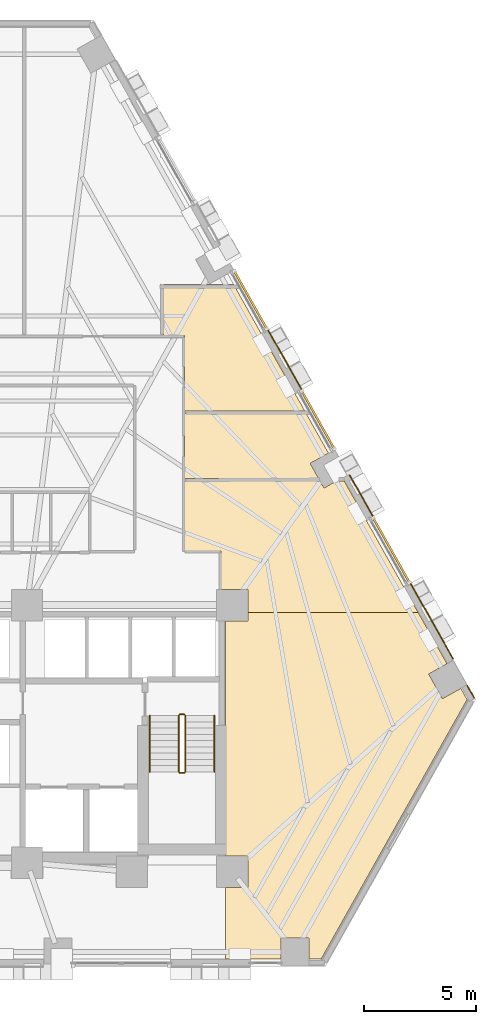
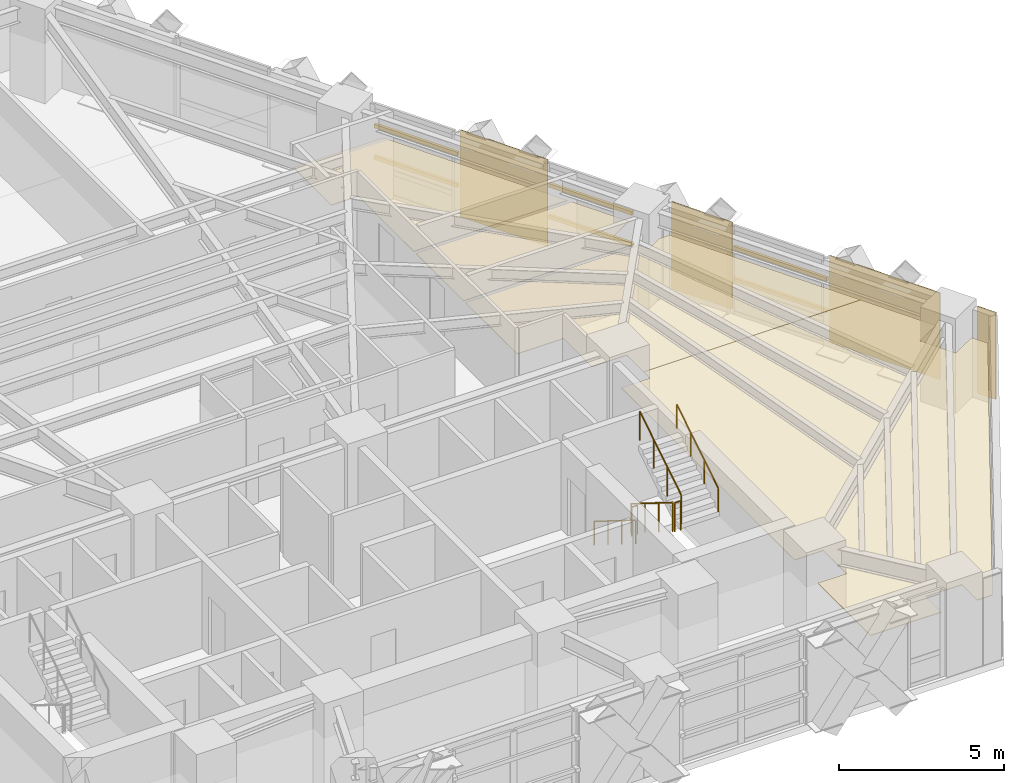
# One storey, part 12 of 13: 8 coverings, 6 railings, 6 shading devices.
"""IFC4 building model written with IfcOpenShell, lengths in metres."""

from ifc_helpers import new_model, si_unit, direction, frame, origin, origin_2d, place, context, subcontext, project, spatial, polyline, rectangle, circle, outline, extrude, material, layer, layer_set, material_profile, profile_set, type_object, element, save


model = new_model("IFC4")

# Units and contexts
model_context = context("Model", 3, precision=1e-05, world=origin(), true_north=direction((0.0, 1.0)))
body_context = subcontext(model_context, "Body", "Model", "MODEL_VIEW")
ifc_project = project(units=[si_unit("LENGTHUNIT", "METRE"), si_unit("AREAUNIT", "SQUARE_METRE"), si_unit("VOLUMEUNIT", "CUBIC_METRE"), si_unit("PLANEANGLEUNIT", "RADIAN"), si_unit("MASSUNIT", "GRAM", prefix="KILO")], contexts=[model_context])

# Site, building, storey
site_placement = place(None, origin())
site = spatial("IfcSite", under=ifc_project, at=site_placement, CompositionType="ELEMENT")
building_placement = place(site_placement, origin())
building = spatial("IfcBuilding", under=site, at=building_placement, Name="Quenlor Broadcast Tower", CompositionType="ELEMENT")
storey_placement = place(building_placement, frame((0.0, 0.0, 41.60009765625)))
storey = spatial("IfcBuildingStorey", under=building, at=storey_placement, Name="L10", CompositionType="ELEMENT", Elevation=41.60009765625)

# Coverings
ifc_material_1 = material(Name="Acoustic Mineral Fibre Board", Category="other")
ifc_layer_1 = layer(ifc_material_1, 0.02490234375)
ifc_layer_set_1 = layer_set([ifc_layer_1], Name="Acoustic Perforated Mineral Tile Ceiling 25")
covering_type_1 = type_object("IfcCoveringType", Name="Acoustic Perforated Mineral Tile Ceiling 25", PredefinedType="CEILING", material=ifc_layer_set_1)
covering_1_placement = place(storey_placement, frame((0.0, 0.0, 2.224853515625)))
element("IfcCovering", 1, at=covering_1_placement, inside=storey, type_object=covering_type_1, Name="L10 Acoustic Ceiling L10-33", PredefinedType="CEILING", context=body_context, shape_type="SweptSolid", body=[
    extrude(outline(polyline([(9.860107421875, 7.280029296875), (9.860107421875, 9.580078125), (13.0087890625, 9.580078125), (16.20361328125, 3.89990234375), (10.804931640625, 3.89990234375), (10.804931640625, 7.280029296875), (9.860107421875, 7.280029296875)])), origin(), (0.0, 0.0, 1.0), 0.025146484375),
])
covering_2_placement = place(storey_placement, frame((0.0, 0.0, 2.224853515625)))
element("IfcCovering", 2, at=covering_2_placement, inside=storey, type_object=covering_type_1, Name="L10 Acoustic Ceiling L10-35", PredefinedType="CEILING", context=body_context, shape_type="SweptSolid", body=[
    extrude(outline(polyline([(16.44189453125, 1.552978515625), (16.820556640625, 0.879638671875), (10.804931640625, 0.879638671875), (10.804931640625, 3.780029296875), (16.271240234375, 3.780029296875), (17.263671875, 2.015380859375), (16.44189453125, 1.552978515625)])), origin(), (0.0, 0.0, 1.0), 0.025146484375),
])
covering_3_placement = place(storey_placement, frame((0.0, 0.0, 2.224853515625)))
element("IfcCovering", 3, at=covering_3_placement, inside=storey, type_object=covering_type_1, Name="L10 Acoustic Ceiling L10-37-2", PredefinedType="CEILING", context=body_context, shape_type="SweptSolid", body=[
    extrude(outline(polyline([(13.657958984375, -4.092041015625), (12.43994140625, -4.092041015625), (12.43994140625, -2.3701171875), (10.804931640625, -2.3701171875), (10.804931640625, 0.759765625), (16.88818359375, 0.759765625), (17.0625, 0.44970703125), (17.61376953125, 0.759765625), (17.97021484375, 0.759765625), (21.27734375, -5.1201171875), (13.657958984375, -5.1201171875), (13.657958984375, -4.092041015625)])), origin(), (0.0, 0.0, 1.0), 0.025146484375),
])
covering_4_placement = place(storey_placement, frame((0.0, 0.0, 2.224853515625)))
element("IfcCovering", 4, at=covering_4_placement, inside=storey, type_object=covering_type_1, Name="L10 Acoustic Ceiling L10-37-5", PredefinedType="CEILING", context=body_context, shape_type="SweptSolid", body=[
    extrude(outline(polyline([(13.657958984375, -17.4580078125), (13.657958984375, -16.0419921875), (12.64990234375, -16.0419921875), (12.64990234375, -5.508056640625), (13.657958984375, -5.508056640625), (13.657958984375, -5.1201171875), (21.27734375, -5.1201171875), (22.575927734375, -7.428466796875), (21.754150390625, -7.890625), (22.374755859375, -8.994140625), (23.196533203125, -8.531982421875), (23.477783203125, -9.031982421875), (16.937255859375, -20.659912109375), (16.398193359375, -20.659912109375), (16.398193359375, -19.717041015625), (15.132080078125, -19.717041015625), (15.132080078125, -20.659912109375), (12.64990234375, -20.659912109375), (12.64990234375, -17.4580078125), (13.657958984375, -17.4580078125)])), origin(), (0.0, 0.0, 1.0), 0.025146484375),
])

# Shading devices
ifc_material_2 = material(Name="Architectural Terracotta Ceramic", Category="masonry")
ifc_material_profile = material_profile(ifc_material_2, rectangle(XDim=0.090087890625, YDim=0.139892578125, at=origin_2d()))
ifc_profile_set = profile_set([ifc_material_profile], Name="Architectural Terracotta Ceramic BAG90x140")
shading_device_type = type_object("IfcShadingDeviceType", Name="Copper Terracotta Baguette Solar Screen 140", PredefinedType="USERDEFINED", material=ifc_profile_set)
for number, where, z_axis, x_axis, name in (
    (5, (19.27099609375, -0.89453125, 1.169921875), (0.490289331496, -0.871559734855, 0.0), (0.871559734855, 0.490289331496, 0.0), "L10 Terracotta Baguette Screen 1"),
    (6, (19.27099609375, -0.89453125, 2.33984375), (0.490289331496, -0.871559734855, 0.0), (0.871559734855, 0.490289331496, 0.0), "L10 Terracotta Baguette Screen 2"),
):
    element("IfcShadingDevice", number, at=place(storey_placement, frame(where, z_axis=z_axis, x_axis=x_axis)), inside=storey, type_object=shading_device_type, Name=name, ObjectType="BAGUETTE", PredefinedType="USERDEFINED", context=body_context, shape_type="SweptSolid", body=[
        extrude(rectangle(XDim=0.090087890625, YDim=0.139892578125, at=origin_2d()), origin(), (0.0, 0.0, 1.0), 3.301025390625),
    ])
for number, where, z_axis, x_axis, name in (
    (7, (13.050537109375, 10.164306640625, 1.169921875), (0.490241581092, -0.871586594762, 0.0), (0.871586594762, 0.490241581092, 0.0), "L10 Terracotta Baguette Screen 1"),
    (8, (13.050537109375, 10.164306640625, 2.33984375), (0.490241581092, -0.871586594762, 0.0), (0.871586594762, 0.490241581092, 0.0), "L10 Terracotta Baguette Screen 2"),
):
    element("IfcShadingDevice", number, at=place(storey_placement, frame(where, z_axis=z_axis, x_axis=x_axis)), inside=storey, type_object=shading_device_type, Name=name, ObjectType="BAGUETTE", PredefinedType="USERDEFINED", context=body_context, shape_type="SweptSolid", body=[
        extrude(rectangle(XDim=0.090087890625, YDim=0.139892578125, at=origin_2d()), origin(), (0.0, 0.0, 1.0), 2.9482421875),
    ])
for number, where, z_axis, x_axis, name in (
    (9, (16.07421875, 4.78857421875, 1.169921875), (0.490339873784, -0.871531300744, 0.0), (0.871531300744, 0.490339873784, 0.0), "L10 Terracotta Baguette Screen 1"),
    (10, (16.07421875, 4.78857421875, 2.33984375), (0.490339873784, -0.871531300744, 0.0), (0.871531300744, 0.490339873784, 0.0), "L10 Terracotta Baguette Screen 2"),
):
    element("IfcShadingDevice", number, at=place(storey_placement, frame(where, z_axis=z_axis, x_axis=x_axis)), inside=storey, type_object=shading_device_type, Name=name, ObjectType="BAGUETTE", PredefinedType="USERDEFINED", context=body_context, shape_type="SweptSolid", body=[
        extrude(rectangle(XDim=0.090087890625, YDim=0.139892578125, at=origin_2d()), origin(), (0.0, 0.0, 1.0), 2.947998046875),
    ])

# Coverings
ifc_material_3 = material(Name="Architectural Terracotta Ceramic", Category="masonry")
ifc_layer_2 = layer(ifc_material_3, 0.044921875)
ifc_layer_set_2 = layer_set([ifc_layer_2], Name="Fluted Terracotta Rainscreen Cladding Panel")
covering_type_2 = type_object("IfcCoveringType", Name="Fluted Terracotta Rainscreen Cladding Panel", PredefinedType="CLADDING", material=ifc_layer_set_2)
covering_5_placement = place(storey_placement, frame((0.0, 0.0, 0.02001953125)))
element("IfcCovering", 11, at=covering_5_placement, inside=storey, type_object=covering_type_2, Name="L10 Terracotta Rainscreen Cladding L10-SHD-NES1", PredefinedType="CLADDING", context=body_context, shape_type="SweptSolid", body=[
    extrude(outline(polyline([(23.464111328125, -8.412109375), (23.781982421875, -8.97705078125), (23.8212890625, -8.955078125), (23.50341796875, -8.39013671875), (23.464111328125, -8.412109375)])), origin(), (0.0, 0.0, 1.0), 3.2099609375),
])
covering_6_placement = place(storey_placement, frame((0.0, 0.0, 0.02001953125)))
element("IfcCovering", 12, at=covering_6_placement, inside=storey, type_object=covering_type_2, Name="L10 Terracotta Rainscreen Cladding L10-NEC-SP1", PredefinedType="CLADDING", context=body_context, shape_type="SweptSolid", body=[
    extrude(outline(polyline([(18.18798828125, 1.029052734375), (19.236083984375, -0.833984375), (19.275146484375, -0.81201171875), (18.227294921875, 1.051025390625), (18.18798828125, 1.029052734375)])), origin(), (0.0, 0.0, 1.0), 3.2099609375),
])
covering_7_placement = place(storey_placement, frame((0.0, 0.0, 0.02001953125)))
element("IfcCovering", 13, at=covering_7_placement, inside=storey, type_object=covering_type_2, Name="L10 Terracotta Rainscreen Cladding L10-NEC-SP2", PredefinedType="CLADDING", context=body_context, shape_type="SweptSolid", body=[
    extrude(outline(polyline([(20.9228515625, -3.8330078125), (22.83349609375, -7.2294921875), (22.872802734375, -7.20751953125), (20.962158203125, -3.81103515625), (20.9228515625, -3.8330078125)])), origin(), (0.0, 0.0, 1.0), 3.2099609375),
])
covering_8_placement = place(storey_placement, frame((0.0, 0.0, 0.02001953125)))
element("IfcCovering", 14, at=covering_8_placement, inside=storey, type_object=covering_type_2, Name="L10 Terracotta Rainscreen Cladding L10-NE-SP1", PredefinedType="CLADDING", context=body_context, shape_type="SweptSolid", body=[
    extrude(outline(polyline([(14.529296875, 7.533203125), (16.039306640625, 4.84912109375), (16.078369140625, 4.87109375), (14.568603515625, 7.555419921875), (14.529296875, 7.533203125)])), origin(), (0.0, 0.0, 1.0), 3.2099609375),
])

# Railings
ifc_material_4 = material(Name="Anodised Aluminium", Category="aluminium")
railing_type_1 = type_object("IfcRailingType", Name="Stainless Aluminium Wall Handrail 900", PredefinedType="HANDRAIL", material=ifc_material_4)
railing_1_placement = place(storey_placement, frame((9.25, -9.75, 0.1748046875)))
element("IfcRailing", 15, at=railing_1_placement, inside=storey, type_object=railing_type_1, Name="L10 ST-2 stair handrail 1", PredefinedType="HANDRAIL", context=body_context, shape_type="SweptSolid", body=[
    extrude(circle(Radius=0.02392578125, at=origin_2d()), frame((0.0, 0.0, 0.8759765625), z_axis=(0.0, -0.847970611238, 0.530043245855), x_axis=(1.0, 0.0, 0.0)), (0.0, 0.0, 1.0), 2.971923828125),
    extrude(circle(Radius=0.02099609375, at=origin_2d()), origin(), (0.0, 0.0, 1.0), 0.851806640625),
    extrude(circle(Radius=0.02099609375, at=origin_2d()), frame((0.0, -0.840087890625, 0.525146484375)), (0.0, 0.0, 1.0), 0.851806640625),
    extrude(circle(Radius=0.02099609375, at=origin_2d()), frame((0.0, -1.679931640625, 1.050048828125)), (0.0, 0.0, 1.0), 0.851806640625),
    extrude(circle(Radius=0.02099609375, at=origin_2d()), frame((0.0, -2.52001953125, 1.5751953125)), (0.0, 0.0, 1.0), 0.851806640625),
])
railing_2_placement = place(storey_placement, frame((12.14990234375, -12.27001953125, 1.9248046875)))
element("IfcRailing", 16, at=railing_2_placement, inside=storey, type_object=railing_type_1, Name="L10 ST-2 stair handrail 2", PredefinedType="HANDRAIL", context=body_context, shape_type="SweptSolid", body=[
    extrude(circle(Radius=0.02392578125, at=origin_2d()), frame((0.0, 0.0, 0.8759765625), z_axis=(0.0, 0.847970611238, 0.530043245855), x_axis=(-1.0, 0.0, 0.0)), (0.0, 0.0, 1.0), 2.971923828125),
    extrude(circle(Radius=0.02099609375, at=origin_2d()), origin(), (0.0, 0.0, 1.0), 0.851806640625),
    extrude(circle(Radius=0.02099609375, at=origin_2d()), frame((0.0, 0.840087890625, 0.525146484375)), (0.0, 0.0, 1.0), 0.851806640625),
    extrude(circle(Radius=0.02099609375, at=origin_2d()), frame((0.0, 1.679931640625, 1.050048828125)), (0.0, 0.0, 1.0), 0.851806640625),
    extrude(circle(Radius=0.02099609375, at=origin_2d()), frame((0.0, 2.52001953125, 1.5751953125)), (0.0, 0.0, 1.0), 0.851806640625),
])
ifc_material_5 = material(Name="Steel S355", Category="steel")
railing_type_2 = type_object("IfcRailingType", Name="Tubular Steel S355 Stair Guardrail 1100", PredefinedType="BALUSTRADE", material=ifc_material_5)
railing_3_placement = place(storey_placement, frame((10.550048828125, -9.75, 0.1748046875)))
element("IfcRailing", 17, at=railing_3_placement, inside=storey, type_object=railing_type_2, Name="L10 ST-2 stair guard 1", PredefinedType="BALUSTRADE", context=body_context, shape_type="SweptSolid", body=[
    extrude(circle(Radius=0.02392578125, at=origin_2d()), frame((0.0, 0.0, 1.076171875), z_axis=(0.0, -0.847970611238, 0.530043245855), x_axis=(1.0, 0.0, 0.0)), (0.0, 0.0, 1.0), 2.971923828125),
    extrude(circle(Radius=0.02099609375, at=origin_2d()), origin(), (0.0, 0.0, 1.0), 1.052001953125),
    extrude(circle(Radius=0.02099609375, at=origin_2d()), frame((0.0, -0.840087890625, 0.525146484375)), (0.0, 0.0, 1.0), 1.052001953125),
    extrude(circle(Radius=0.02099609375, at=origin_2d()), frame((0.0, -1.679931640625, 1.050048828125)), (0.0, 0.0, 1.0), 1.052001953125),
    extrude(circle(Radius=0.02099609375, at=origin_2d()), frame((0.0, -2.52001953125, 1.5751953125)), (0.0, 0.0, 1.0), 1.052001953125),
])
railing_4_placement = place(storey_placement, frame((10.60009765625, -12.320068359375, 1.75)))
element("IfcRailing", 18, at=railing_4_placement, inside=storey, type_object=railing_type_2, Name="L10 ST-2 stair guard 2", PredefinedType="BALUSTRADE", context=body_context, shape_type="SweptSolid", body=[
    extrude(circle(Radius=0.02392578125, at=origin_2d()), frame((0.0, 0.0, 1.076171875), z_axis=(1.0, 0.0, 0.0), x_axis=(0.0, 1.0, 0.0)), (0.0, 0.0, 1.0), 0.199951171875),
    extrude(circle(Radius=0.02099609375, at=origin_2d()), origin(), (0.0, 0.0, 1.0), 1.052001953125),
    extrude(circle(Radius=0.02099609375, at=origin_2d()), frame((0.199951171875, 0.0, 0.0)), (0.0, 0.0, 1.0), 1.052001953125),
])
railing_5_placement = place(storey_placement, frame((10.85009765625, -12.27001953125, 1.9248046875)))
element("IfcRailing", 19, at=railing_5_placement, inside=storey, type_object=railing_type_2, Name="L10 ST-2 stair guard 3", PredefinedType="BALUSTRADE", context=body_context, shape_type="SweptSolid", body=[
    extrude(circle(Radius=0.02392578125, at=origin_2d()), frame((0.0, 0.0, 1.076171875), z_axis=(0.0, 0.847970611238, 0.530043245855), x_axis=(-1.0, 0.0, 0.0)), (0.0, 0.0, 1.0), 2.971923828125),
    extrude(circle(Radius=0.02099609375, at=origin_2d()), origin(), (0.0, 0.0, 1.0), 1.052001953125),
    extrude(circle(Radius=0.02099609375, at=origin_2d()), frame((0.0, 0.840087890625, 0.525146484375)), (0.0, 0.0, 1.0), 1.052001953125),
    extrude(circle(Radius=0.02099609375, at=origin_2d()), frame((0.0, 1.679931640625, 1.050048828125)), (0.0, 0.0, 1.0), 1.052001953125),
    extrude(circle(Radius=0.02099609375, at=origin_2d()), frame((0.0, 2.52001953125, 1.5751953125)), (0.0, 0.0, 1.0), 1.052001953125),
])
railing_6_placement = place(storey_placement, frame((10.60009765625, -9.699951171875, 0.0)))
element("IfcRailing", 20, at=railing_6_placement, inside=storey, type_object=railing_type_2, Name="L10 ST-2 stair guard 4", PredefinedType="BALUSTRADE", context=body_context, shape_type="SweptSolid", body=[
    extrude(circle(Radius=0.02392578125, at=origin_2d()), frame((0.0, 0.0, 1.076171875), z_axis=(1.0, 0.0, 0.0), x_axis=(0.0, 1.0, 0.0)), (0.0, 0.0, 1.0), 0.199951171875),
    extrude(circle(Radius=0.02099609375, at=origin_2d()), origin(), (0.0, 0.0, 1.0), 1.052001953125),
    extrude(circle(Radius=0.02099609375, at=origin_2d()), frame((0.199951171875, 0.0, 0.0)), (0.0, 0.0, 1.0), 1.052001953125),
])

save(model, "model.ifc")
